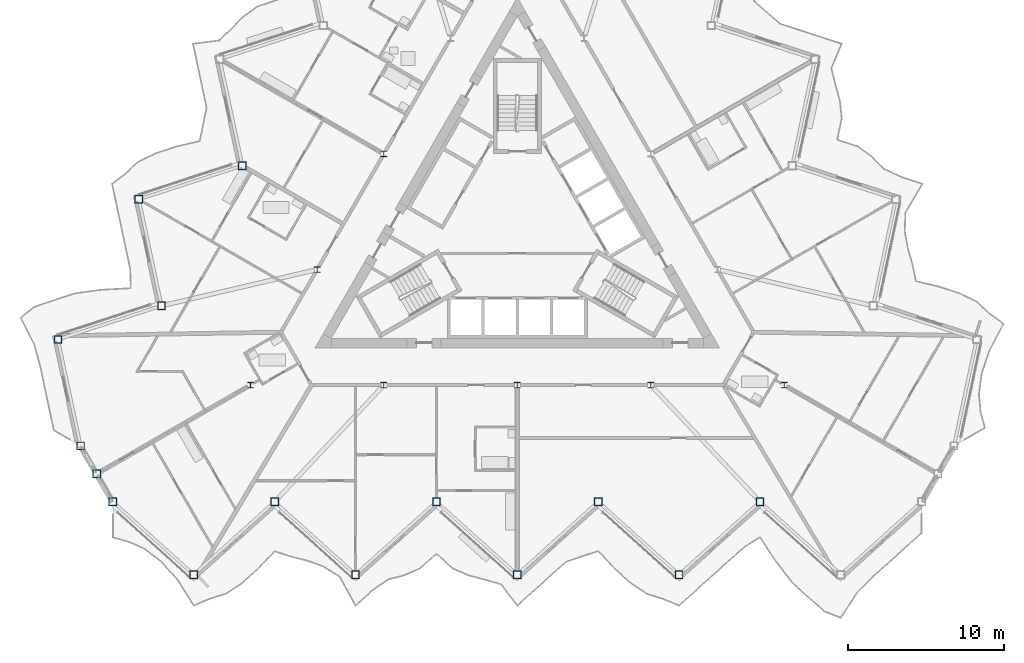
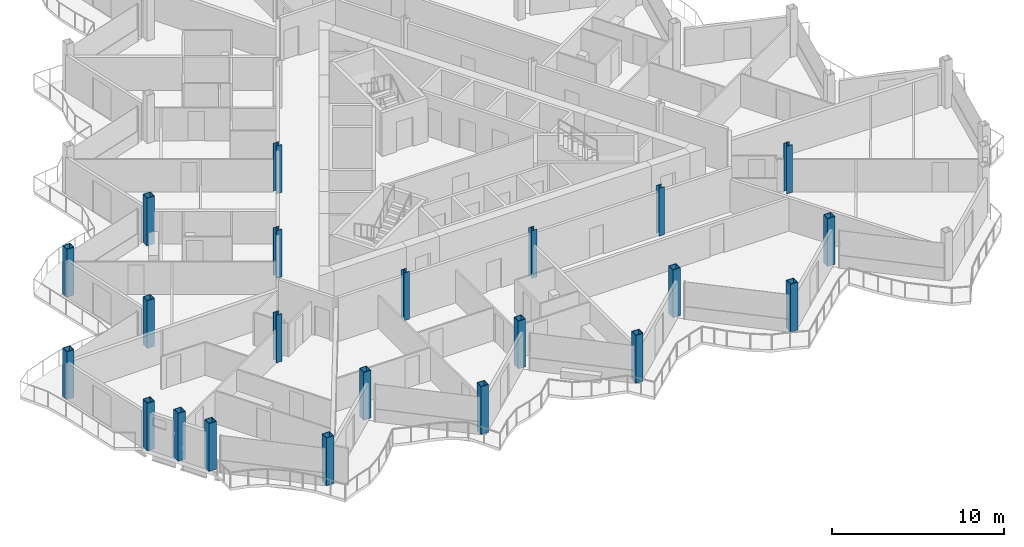
# One storey, part 1 of 26: 22 columns.
"""IFC4 building model written with IfcOpenShell, lengths in metres."""

from ifc_helpers import new_model, si_unit, direction, frame, origin, origin_2d, place, context, subcontext, project, spatial, hollow_rectangle, i_section, extrude, material, material_profile, profile_set, type_object, element, save


model = new_model("IFC4")

# Units and contexts
model_context = context("Model", 3, precision=1e-05, world=origin(), true_north=direction((0.0, 1.0)))
body_context = subcontext(model_context, "Body", "Model", "MODEL_VIEW")
ifc_project = project(units=[si_unit("LENGTHUNIT", "METRE"), si_unit("AREAUNIT", "SQUARE_METRE"), si_unit("VOLUMEUNIT", "CUBIC_METRE"), si_unit("PLANEANGLEUNIT", "RADIAN"), si_unit("MASSUNIT", "GRAM", prefix="KILO")], contexts=[model_context])

# Site, building, storey
site_placement = place(None, origin())
site = spatial("IfcSite", under=ifc_project, at=site_placement, CompositionType="ELEMENT")
building_placement = place(site_placement, origin())
building = spatial("IfcBuilding", under=site, at=building_placement, Name="Cormorant Prow Tower", CompositionType="ELEMENT")
storey_placement = place(building_placement, frame((0.0, 0.0, 388.199951171875)))
storey = spatial("IfcBuildingStorey", under=building, at=storey_placement, Name="L88", CompositionType="ELEMENT", Elevation=388.199951171875)

# Columns
ifc_material_1 = material(Name="Structural steel ASTM A572 Gr 50", Category="steel")
ifc_material_profile_1 = material_profile(ifc_material_1, hollow_rectangle(XDim=0.5, YDim=0.5, WallThickness=0.030029296875, at=origin_2d()), Name="Box 500x500x30")
ifc_profile_set_1 = profile_set([ifc_material_profile_1], Name="Structural steel ASTM A572 Gr 50")
column_type_1 = type_object("IfcColumnType", Name="Perimeter box column 500x500x30", PredefinedType="COLUMN", material=ifc_profile_set_1)
for number, where, z_axis, x_axis, name in (
    (1, (-26.0, -17.40576171875, 0.0), (0.0, 0.0, 1.0), (1.0, 0.0, 0.0), "Perimeter column C7 at S00 L88"),
    (2, (-20.800048828125, -22.087890625, 0.0), (0.0, 0.0, 1.0), (1.0, 0.0, 0.0), "Perimeter column C7 at S01 L88"),
    (3, (-15.60009765625, -17.40576171875, 0.0), (0.0, 0.0, 1.0), (1.0, 0.0, 0.0), "Perimeter column C7 at S02 L88"),
    (4, (-10.39990234375, -22.087890625, 0.0), (0.0, 0.0, 1.0), (1.0, 0.0, 0.0), "Perimeter column C7 at S03 L88"),
    (5, (-5.199951171875, -17.40576171875, 0.0), (0.0, 0.0, 1.0), (1.0, 0.0, 0.0), "Perimeter column C7 at S04 L88"),
    (6, (0.0, -22.087890625, 0.0), (0.0, 0.0, 1.0), (1.0, 0.0, 0.0), "Perimeter column C7 at S05 L88"),
    (7, (5.199951171875, -17.40576171875, 0.0), (0.0, 0.0, 1.0), (1.0, 0.0, 0.0), "Perimeter column C7 at S06 L88"),
    (8, (10.39990234375, -22.087890625, 0.0), (0.0, 0.0, 1.0), (1.0, 0.0, 0.0), "Perimeter column C7 at S07 L88"),
    (9, (15.60009765625, -17.40576171875, 0.0), (0.0, 0.0, 1.0), (1.0, 0.0, 0.0), "Perimeter column C7 at S08 L88"),
    (10, (-17.673828125, 4.199462890625, 0.0), (0.0, 0.0, 1.0), (1.0, 0.0, 0.0), "Perimeter column C7 at WNW06 L88"),
    (11, (-24.32861328125, 2.037353515625, 0.0), (0.0, 0.0, 1.0), (1.0, 0.0, 0.0), "Perimeter column C7 at WNW07 L88"),
    (12, (-22.873779296875, -4.80712890625, 0.0), (0.0, 0.0, 1.0), (1.0, 0.0, 0.0), "Perimeter column C7 at WNW08 L88"),
    (13, (-29.528564453125, -6.969482421875, 0.0), (0.0, 0.0, 1.0), (1.0, 0.0, 0.0), "Perimeter column C7 at WNW09 L88"),
    (14, (-28.07373046875, -13.813720703125, 0.0), (0.0, 0.0, 1.0), (1.0, 0.0, 0.0), "Perimeter column C7 at WSW00 L88"),
    (15, (-27.036865234375, -15.60986328125, 0.0), (0.0, 0.0, 1.0), (1.0, 0.0, 0.0), "Perimeter column C7 at WSW01 L88"),
):
    element("IfcColumn", number, at=place(storey_placement, frame(where, z_axis=z_axis, x_axis=x_axis)), inside=storey, type_object=column_type_1, Name=name, PredefinedType="COLUMN", context=body_context, shape_type="SweptSolid", body=[
        extrude(hollow_rectangle(XDim=0.5, YDim=0.5, WallThickness=0.030029296875, at=origin_2d()), origin(), (0.0, 0.0, 1.0), 3.400146484375),
    ])
ifc_material_2 = material(Name="Structural steel ASTM A992 Gr 50", Category="steel")
ifc_material_profile_2 = material_profile(ifc_material_2, i_section(OverallWidth=0.3740234375, OverallDepth=0.372314453125, WebThickness=0.016357421875, FlangeThickness=0.026123046875, at=origin_2d()), Name="W14x132")
ifc_profile_set_2 = profile_set([ifc_material_profile_2], Name="Structural steel ASTM A992 Gr 50")
column_type_2 = type_object("IfcColumnType", Name="Ring column W14x132", PredefinedType="COLUMN", material=ifc_profile_set_2)
for number, where, z_axis, x_axis, name in (
    (16, (-8.578369140625, 4.952880859375, 0.0), (0.0, 0.0, 1.0), (1.0, 0.0, 0.0), "Ring column 3 L88"),
    (17, (-12.86767578125, -2.476318359375, 0.0), (0.0, 0.0, 1.0), (1.0, 0.0, 0.0), "Ring column 4 L88"),
    (18, (-17.156982421875, -9.905517578125, 0.0), (0.0, 0.0, 1.0), (1.0, 0.0, 0.0), "Ring column 5 L88"),
    (19, (-8.578369140625, -9.905517578125, 0.0), (0.0, 0.0, 1.0), (1.0, 0.0, 0.0), "Ring column 6 L88"),
    (20, (0.0, -9.905517578125, 0.0), (0.0, 0.0, 1.0), (1.0, 0.0, 0.0), "Ring column 7 L88"),
    (21, (8.578369140625, -9.905517578125, 0.0), (0.0, 0.0, 1.0), (1.0, 0.0, 0.0), "Ring column 8 L88"),
    (22, (17.156982421875, -9.905517578125, 0.0), (0.0, 0.0, 1.0), (1.0, 0.0, 0.0), "Ring column 9 L88"),
):
    element("IfcColumn", number, at=place(storey_placement, frame(where, z_axis=z_axis, x_axis=x_axis)), inside=storey, type_object=column_type_2, Name=name, PredefinedType="COLUMN", context=body_context, shape_type="SweptSolid", body=[
        extrude(i_section(OverallWidth=0.3740234375, OverallDepth=0.372314453125, WebThickness=0.016357421875, FlangeThickness=0.026123046875, at=origin_2d()), origin(), (0.0, 0.0, 1.0), 3.400146484375),
    ])

save(model, "model.ifc")
